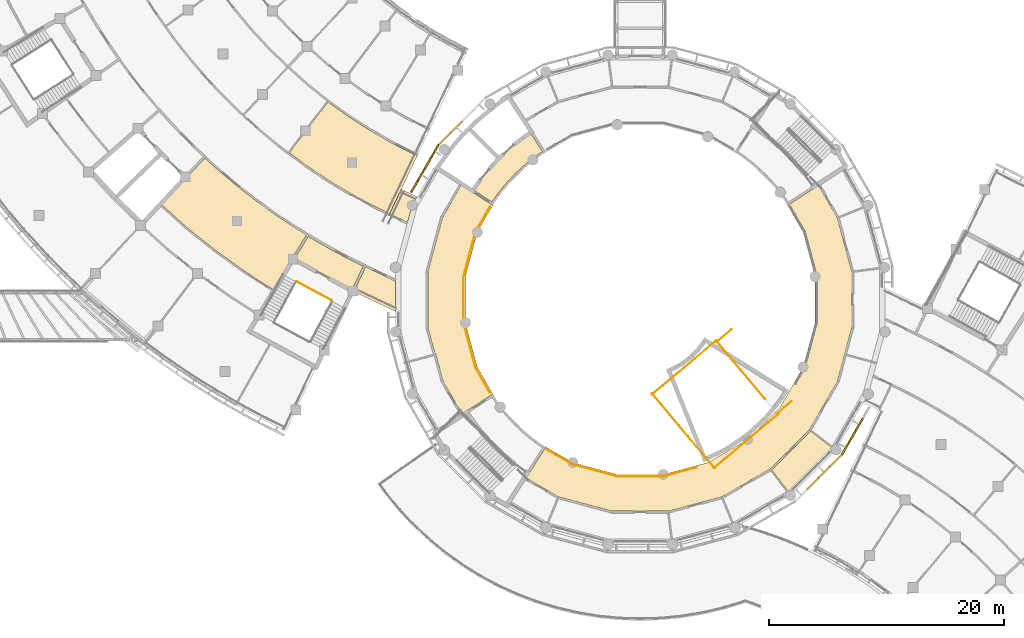
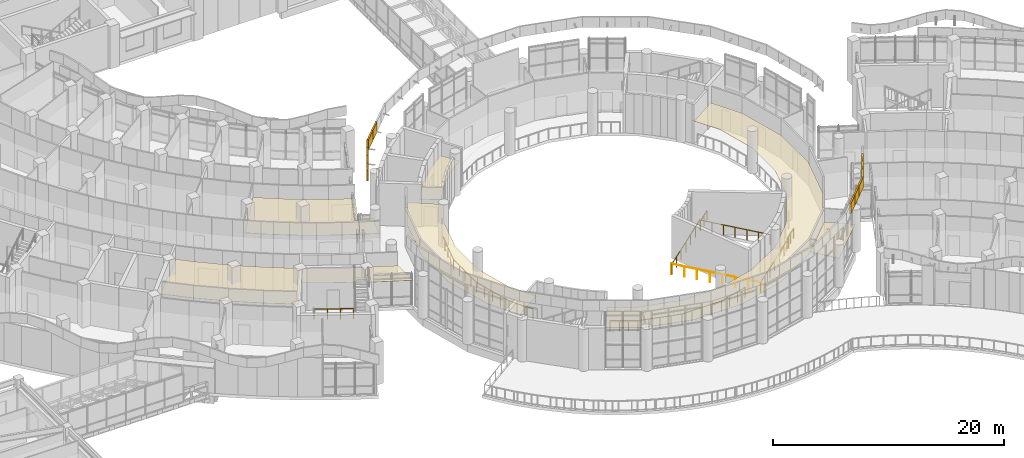
# One storey, part 117 of 136: 21 coverings, 9 railings.
"""IFC4 building model written with IfcOpenShell, lengths in metres."""

import ifcopenshell
import ifcopenshell.guid

model = None  # the IFC model being written
_history = None  # IfcOwnerHistory: only IFC2X3 demands one
_inside = {}  # id of a spatial element -> (the spatial element, [elements in it])
_under = {}  # id of a project, library or spatial element -> (it, [spatial elements below it])
_declared = {}  # id of a project -> (the project, [libraries it declares])
_typed = {}  # id of a type object -> (the type object, [elements of that type])
_made_of = {}  # id of a material, layer set ... -> (it, [elements and type objects made of it])


def new_model(schema):
    """Start an empty IFC model of exactly this schema.

    Asked for "IFC4X3", IfcOpenShell would pick the latest addendum, in which some entities
    have other attributes; the version numbers below select the first issue.
    IFC2X3 requires an IfcOwnerHistory on every rooted entity: one is made here for all.
    """
    global model, _history
    if schema == "IFC4X3":
        model = ifcopenshell.file(schema_version=(4, 3, 0, 0))
    else:
        model = ifcopenshell.file(schema=schema)
    _inside.clear()
    _under.clear()
    _declared.clear()
    _typed.clear()
    _made_of.clear()
    _history = None
    if model.schema == "IFC2X3":
        org = make("IfcOrganization", Name="unknown")
        user = make(
            "IfcPersonAndOrganization",
            ThePerson=make("IfcPerson", FamilyName="unknown"),
            TheOrganization=org,
        )
        app = make(
            "IfcApplication",
            ApplicationDeveloper=org,
            Version="unknown",
            ApplicationFullName="unknown",
            ApplicationIdentifier="unknown",
        )
        _history = make(
            "IfcOwnerHistory",
            OwningUser=user,
            OwningApplication=app,
            ChangeAction="ADDED",
            CreationDate=0,
        )
    return model


def make(cls, **values):
    """One entity of the class cls with the attributes given. An attribute that is None is left unset."""
    return model.create_entity(
        cls, **{name: value for name, value in values.items() if value is not None}
    )


def rooted(cls, **values):
    """An entity with a GlobalId (a new one), such as an element, a storey or a relation."""
    return make(cls, GlobalId=ifcopenshell.guid.new(), OwnerHistory=_history, **values)


def si_unit(unit_type, name, prefix=None):
    """IfcSIUnit, for example si_unit("LENGTHUNIT", "METRE", prefix="MILLI")."""
    return make("IfcSIUnit", UnitType=unit_type, Prefix=prefix, Name=name)


def assignment(units):
    """IfcUnitAssignment: the units of a project."""
    return None if units is None else make("IfcUnitAssignment", Units=units)


def point(xyz):
    """IfcCartesianPoint."""
    return None if xyz is None else make("IfcCartesianPoint", Coordinates=xyz)


def direction(xyz):
    """IfcDirection."""
    return None if xyz is None else make("IfcDirection", DirectionRatios=xyz)


def frame(location, z_axis=None, x_axis=None):
    """IfcAxis2Placement3D, a coordinate frame: its origin and axes. An axis left out is left unset."""
    return make(
        "IfcAxis2Placement3D",
        Location=point(location),
        Axis=direction(z_axis),
        RefDirection=direction(x_axis),
    )


def frame_2d(location, x_axis=None):
    """IfcAxis2Placement2D, a coordinate frame in the plane: its origin and x axis."""
    return make(
        "IfcAxis2Placement2D", Location=point(location), RefDirection=direction(x_axis)
    )


def origin():
    """The frame at (0, 0, 0) with its axes left unset."""
    return frame((0.0, 0.0, 0.0))


def origin_2d():
    """The frame at (0, 0) in the plane with its x axis left unset."""
    return frame_2d((0.0, 0.0))


def place(relative_to, where):
    """IfcLocalPlacement: puts the frame where relative to a parent placement (None: the world)."""
    return make(
        "IfcLocalPlacement", PlacementRelTo=relative_to, RelativePlacement=where
    )


def context(
    kind, dimensions, precision=None, world=None, true_north=None, identifier=None
):
    """IfcGeometricRepresentationContext, for example the 3D "Model" context."""
    return make(
        "IfcGeometricRepresentationContext",
        ContextIdentifier=identifier,
        ContextType=kind,
        CoordinateSpaceDimension=dimensions,
        Precision=precision,
        WorldCoordinateSystem=world,
        TrueNorth=true_north,
    )


def subcontext(parent, identifier, kind, view, scale=None):
    """IfcGeometricRepresentationSubContext, for example "Body" below "Model"."""
    return make(
        "IfcGeometricRepresentationSubContext",
        ContextIdentifier=identifier,
        ContextType=kind,
        ParentContext=parent,
        TargetScale=scale,
        TargetView=view,
    )


def project(units=None, contexts=None):
    """IfcProject with its units and contexts."""
    return rooted(
        "IfcProject",
        Name="project",
        RepresentationContexts=contexts,
        UnitsInContext=assignment(units),
    )


def spatial(cls, under=None, at=None, **own):
    """A site, building, storey or space (cls), placed at a placement, below another one or the project."""
    s = rooted(cls, ObjectPlacement=at, **own)
    if under is not None:
        _under.setdefault(under.id(), (under, []))[1].append(s)
    return s


def polyline(points):
    """IfcPolyline through the points."""
    return make("IfcPolyline", Points=[point(p) for p in points])


def profile(cls, at=None, kind="AREA", **sizes):
    """A parametric profile (cls). Its sizes go by their IFC names, for example OverallWidth=200.0."""
    return make(cls, ProfileType=kind, Position=at, **sizes)


def circle(**sizes):
    """IfcCircleProfileDef."""
    return profile("IfcCircleProfileDef", **sizes)


def outline(outer, holes=None, kind="AREA"):
    """IfcArbitraryClosedProfileDef: a profile drawn as a closed curve; with holes, ...WithVoids."""
    if holes is None:
        return make("IfcArbitraryClosedProfileDef", ProfileType=kind, OuterCurve=outer)
    return make(
        "IfcArbitraryProfileDefWithVoids",
        ProfileType=kind,
        OuterCurve=outer,
        InnerCurves=holes,
    )


def extrude(swept, where, along, depth):
    """IfcExtrudedAreaSolid: the profile swept, set in the frame where, extruded along a direction by depth."""
    return make(
        "IfcExtrudedAreaSolid",
        SweptArea=swept,
        Position=where,
        ExtrudedDirection=direction(along),
        Depth=depth,
    )


def shape(context_of_items, identifier, shape_type, items):
    """IfcShapeRepresentation: the items that make up one representation, for example the "Body"."""
    return make(
        "IfcShapeRepresentation",
        ContextOfItems=context_of_items,
        RepresentationIdentifier=identifier,
        RepresentationType=shape_type,
        Items=items,
    )


def material(Name=None, Category=None):
    """IfcMaterial."""
    return make("IfcMaterial", Name=Name, Category=Category)


def layer(
    of_material, thickness, ventilated=None, Name=None, Category=None, Priority=None
):
    """IfcMaterialLayer: one layer of a wall or slab, of a material (None: an air gap)."""
    return make(
        "IfcMaterialLayer",
        Material=of_material,
        LayerThickness=thickness,
        IsVentilated=ventilated,
        Name=Name,
        Category=Category,
        Priority=Priority,
    )


def layer_set(layers, Name=None):
    """IfcMaterialLayerSet."""
    return make("IfcMaterialLayerSet", MaterialLayers=layers, LayerSetName=Name)


def made_of(thing, what):
    """Note that an element or type object is made of a material, layer set ...; save() writes the relation."""
    if what is not None:
        _made_of.setdefault(what.id(), (what, []))[1].append(thing)
    return thing


def type_object(cls, material=None, **own):
    """A type object (cls), such as IfcWallType, which elements share."""
    return made_of(rooted(cls, **own), material)


def element(
    cls,
    number,
    at=None,
    inside=None,
    cuts=None,
    type_object=None,
    material=None,
    context=None,
    identifier="Body",
    shape_type=None,
    held_by="IfcProductDefinitionShape",
    body=None,
    shapes=None,
    **own,
):
    """One element of the class cls, such as IfcWall. Its Tag is "e" and its number.

    at: its placement. inside: the storey or other place that contains it. cuts: it is an
    opening in that element (IfcRelVoidsElement). A single representation is given by context,
    identifier, shape_type and body (its items); several are given by shapes. held_by: the class
    of the entity that holds the representations. save() writes the other relations.
    """
    e = rooted(cls, Tag="e%d" % number, ObjectPlacement=at, **own)
    if body is not None:
        shapes = [shape(context, identifier, shape_type, body)]
    if shapes is not None:
        e.Representation = make(held_by, Representations=shapes)
    if inside is not None:
        _inside.setdefault(inside.id(), (inside, []))[1].append(e)
    if cuts is not None:
        rooted(
            "IfcRelVoidsElement", RelatingBuildingElement=cuts, RelatedOpeningElement=e
        )
    if type_object is not None:
        _typed.setdefault(type_object.id(), (type_object, []))[1].append(e)
    return made_of(e, material)


def aggregate(whole, parts):
    """IfcRelAggregates: a whole, such as a stair, and the parts it consists of."""
    return rooted("IfcRelAggregates", RelatingObject=whole, RelatedObjects=parts)


def save(model, path):
    """Write the relations noted so far, then the file.

    IfcRelAggregates (storeys below a building ...), IfcRelContainedInSpatialStructure (elements
    in a storey), IfcRelDefinesByType, IfcRelAssociatesMaterial and IfcRelDeclares: one each for
    every whole, place, type object, material and project.
    """
    for whole, parts in _under.values():
        aggregate(whole, parts)
    for where, things in _inside.values():
        rooted(
            "IfcRelContainedInSpatialStructure",
            RelatedElements=things,
            RelatingStructure=where,
        )
    for kind, things in _typed.values():
        rooted("IfcRelDefinesByType", RelatedObjects=things, RelatingType=kind)
    for what, things in _made_of.values():
        rooted("IfcRelAssociatesMaterial", RelatedObjects=things, RelatingMaterial=what)
    for by, libraries in _declared.values():
        rooted("IfcRelDeclares", RelatingContext=by, RelatedDefinitions=libraries)
    model.write(path)


model = new_model("IFC4")

# Units and contexts
model_context = context("Model", 3, precision=1e-05, world=origin(), true_north=direction((0.0, 1.0)))
body_context = subcontext(model_context, "Body", "Model", "MODEL_VIEW")
ifc_project = project(units=[si_unit("LENGTHUNIT", "METRE"), si_unit("AREAUNIT", "SQUARE_METRE"), si_unit("VOLUMEUNIT", "CUBIC_METRE"), si_unit("PLANEANGLEUNIT", "RADIAN"), si_unit("MASSUNIT", "GRAM", prefix="KILO")], contexts=[model_context])

# Site, building, storey
site_placement = place(None, origin())
site = spatial("IfcSite", under=ifc_project, at=site_placement, CompositionType="ELEMENT")
building_placement = place(site_placement, origin())
building = spatial("IfcBuilding", under=site, at=building_placement, Name="Bougainvillea Quay General Hospital", CompositionType="ELEMENT")
storey_placement = place(building_placement, frame((0.0, 0.0, 5.39990234375)))
storey = spatial("IfcBuildingStorey", under=building, at=storey_placement, Name="L01", CompositionType="ELEMENT", Elevation=5.39990234375)

# Coverings
ifc_material_1 = material(Name="Powder-coated aluminium fascia, white", Category="aluminium")
ifc_layer_1 = layer(ifc_material_1, 0.14990234375)
ifc_layer_set_1 = layer_set([ifc_layer_1], Name="Powder-coated aluminium fascia, white")
covering_type_1 = type_object("IfcCoveringType", Name="Aluminium fascia band white 150x1100", PredefinedType="CLADDING", material=ifc_layer_set_1)
covering_1_placement = place(storey_placement, frame((123.341796875, 57.920166015625, 6.650146484375), z_axis=(0.0, 0.0, 1.0), x_axis=(0.707106781187, 0.707106781187, 0.0)))
element("IfcCovering", 1, at=covering_1_placement, inside=storey, type_object=covering_type_1, Name="Fascia band white e0 36", PredefinedType="CLADDING", context=body_context, shape_type="SweptSolid", body=[
    extrude(outline(polyline([(0.0, 0.0), (1.370364655531937, 0.0), (1.370364655531937, -0.15019113760554115), (0.0, -0.15019113760554112), (0.0, 0.0)])), origin(), (0.0, 0.0, 1.0), 1.10009765625),
])
covering_2_placement = place(storey_placement, frame((124.310791015625, 58.88916015625, 6.650146484375), z_axis=(0.0, 0.0, 1.0), x_axis=(0.707195843064, 0.707017708091, 0.0)))
element("IfcCovering", 2, at=covering_2_placement, inside=storey, type_object=covering_type_1, Name="Fascia band white e0 37", PredefinedType="CLADDING", context=body_context, shape_type="SweptSolid", body=[
    extrude(outline(polyline([(0.0, 0.0), (1.3705372998959335, 0.0), (1.370383562803702, -0.15001852466893295), (1.891814289130267e-05, -0.15019113641407222), (0.0, 0.0)])), origin(), (0.0, 0.0, 1.0), 1.10009765625),
])
covering_3_placement = place(storey_placement, frame((125.280029296875, 59.858154296875, 6.650146484375), z_axis=(0.0, 0.0, 1.0), x_axis=(0.707022163611, 0.707191388638, 0.0)))
element("IfcCovering", 3, at=covering_3_placement, inside=storey, type_object=covering_type_1, Name="Fascia band white e0 38", PredefinedType="CLADDING", context=body_context, shape_type="SweptSolid", body=[
    extrude(outline(polyline([(0.0, 0.0), (1.4426980987993736, -1.1102230246251565e-16), (1.4623603447933502, -0.15019349146840377), (-0.00019058472911116786, -0.15001848238266444), (0.0, 0.0)])), origin(), (0.0, 0.0, 1.0), 1.10009765625),
])
covering_4_placement = place(storey_placement, frame((126.300048828125, 60.87841796875, 6.650146484375), z_axis=(0.0, 0.0, 1.0), x_axis=(0.500080723117, 0.865978793255, 0.0)))
element("IfcCovering", 4, at=covering_4_placement, inside=storey, type_object=covering_type_1, Name="Fascia band white e0 39", PredefinedType="CLADDING", context=body_context, shape_type="SweptSolid", body=[
    extrude(outline(polyline([(0.0, 0.0), (1.2190414715957647, 1.1102230246251565e-16), (1.2190872370178687, -0.14995739746298636), (-0.019848698260943015, -0.15016896475085362), (0.0, 0.0)])), origin(), (0.0, 0.0, 1.0), 1.10009765625),
])
for number, where, z_axis, x_axis, name in (
    (5, (126.90966796875, 61.93408203125, 6.650146484375), (0.0, 0.0, 1.0), (0.499986657325, 0.866033107044, 0.0), "Fascia band white e0 40"),
    (6, (127.48291015625, 62.927001953125, 6.650146484375), (0.0, 0.0, 1.0), (0.499986657325, 0.866033107044, 0.0), "Fascia band white e0 41"),
):
    element("IfcCovering", number, at=place(storey_placement, frame(where, z_axis=z_axis, x_axis=x_axis)), inside=storey, type_object=covering_type_1, Name=name, PredefinedType="CLADDING", context=body_context, shape_type="SweptSolid", body=[
        extrude(outline(polyline([(0.0, 0.0), (1.1465149701534827, 0.0), (1.1465444471637856, -0.14995740154941278), (2.9477010302911277e-05, -0.14995740154941273), (0.0, 0.0)])), origin(), (0.0, 0.0, 1.0), 1.10009765625),
    ])
covering_5_placement = place(storey_placement, frame((94.089111328125, 89.11083984375, 6.650146484375), z_axis=(0.0, 0.0, 1.0), x_axis=(-0.707106781187, -0.707106781187, 0.0)))
element("IfcCovering", 7, at=covering_5_placement, inside=storey, type_object=covering_type_1, Name="Fascia band white e1 37", PredefinedType="CLADDING", context=body_context, shape_type="SweptSolid", body=[
    extrude(outline(polyline([(0.0, 0.0), (1.370364655531937, 0.0), (1.370364655531937, -0.15019113760554115), (0.0, -0.15019113760554112), (0.0, 0.0)])), origin(), (0.0, 0.0, 1.0), 1.10009765625),
])
covering_6_placement = place(storey_placement, frame((93.1201171875, 88.141845703125, 6.650146484375), z_axis=(0.0, 0.0, 1.0), x_axis=(-0.707106781187, -0.707106781187, 0.0)))
element("IfcCovering", 8, at=covering_6_placement, inside=storey, type_object=covering_type_1, Name="Fascia band white e1 38", PredefinedType="CLADDING", context=body_context, shape_type="SweptSolid", body=[
    extrude(outline(polyline([(0.0, 0.0), (1.4428707219621983, 0.0), (1.4625509399932692, -0.15019113760554115), (0.0, -0.15019113760554112), (0.0, 0.0)])), origin(), (0.0, 0.0, 1.0), 1.10009765625),
])
covering_7_placement = place(storey_placement, frame((92.099853515625, 87.12158203125, 6.650146484375), z_axis=(0.0, 0.0, 1.0), x_axis=(-0.499930512259, -0.866065518833, 0.0)))
element("IfcCovering", 9, at=covering_7_placement, inside=storey, type_object=covering_type_1, Name="Fascia band white e1 39", PredefinedType="CLADDING", context=body_context, shape_type="SweptSolid", body=[
    extrude(outline(polyline([(0.0, 0.0), (1.2189193999108408, 0.0), (1.2189391553405198, -0.14995740314525635), (-0.019874744650287615, -0.15016551975098325), (0.0, 0.0)])), origin(), (0.0, 0.0, 1.0), 1.10009765625),
])
for number, where, z_axis, x_axis, name in (
    (10, (91.490478515625, 86.06591796875, 6.650146484375), (0.0, 0.0, 1.0), (-0.499986657325, -0.866033107044, 0.0), "Fascia band white e1 40"),
    (11, (90.917236328125, 85.072998046875, 6.650146484375), (0.0, 0.0, 1.0), (-0.499986657325, -0.866033107044, 0.0), "Fascia band white e1 41"),
):
    element("IfcCovering", number, at=place(storey_placement, frame(where, z_axis=z_axis, x_axis=x_axis)), inside=storey, type_object=covering_type_1, Name=name, PredefinedType="CLADDING", context=body_context, shape_type="SweptSolid", body=[
        extrude(outline(polyline([(0.0, 0.0), (1.1465149701534827, 0.0), (1.1465444471637856, -0.14995740154941278), (2.9477010302911277e-05, -0.14995740154941273), (0.0, 0.0)])), origin(), (0.0, 0.0, 1.0), 1.10009765625),
    ])
covering_8_placement = place(storey_placement, frame((90.343994140625, 84.080078125, 6.650146484375), z_axis=(0.0, 0.0, 1.0), x_axis=(-0.499894466757, -0.866086324858, 0.0)))
element("IfcCovering", 12, at=covering_8_placement, inside=storey, type_object=covering_type_1, Name="Fascia band white e1 42", PredefinedType="CLADDING", context=body_context, shape_type="SweptSolid", body=[
    extrude(outline(polyline([(0.0, 0.0), (1.1467264105144213, 0.0), (1.1467399248169607, -0.14995740383758843), (1.351430253937469e-05, -0.1499574038375884), (0.0, 0.0)])), origin(), (0.0, 0.0, 1.0), 1.10009765625),
])

# Railings
ifc_material_2 = material(Name="Stainless steel guard, brushed grade 316", Category="steel")
railing_type_1 = type_object("IfcRailingType", Name="Stainless steel guard 1100", PredefinedType="GUARDRAIL", material=ifc_material_2)
railing_1_placement = place(storey_placement, frame((113.967041015625, 59.72607421875, 0.0)))
element("IfcRailing", 13, at=railing_1_placement, inside=storey, type_object=railing_type_1, Name="Guard 0-05", PredefinedType="GUARDRAIL", context=body_context, shape_type="SweptSolid", body=[
    extrude(circle(Radius=0.02392578125, at=origin_2d()), frame((0.0, 0.0, 1.076171875), z_axis=(-0.965863478245, -0.259051619165, 0.0), x_axis=(0.259051619165, -0.965863478245, 0.0)), (0.0, 0.0, 1.0), 2.8876953125),
    extrude(circle(Radius=0.02392578125, at=origin_2d()), frame((-2.7890625, -0.748046875, 1.076171875), z_axis=(-1.0, 0.0, 0.0), x_axis=(0.0, -1.0, 0.0)), (0.0, 0.0, 1.0), 3.9560546875),
    extrude(circle(Radius=0.02392578125, at=origin_2d()), frame((-6.7451171875, -0.748046875, 1.076171875), z_axis=(-0.965900094608, 0.258915057956, 0.0), x_axis=(-0.258915057956, -0.965900094608, 0.0)), (0.0, 0.0, 1.0), 3.95458984375),
    extrude(circle(Radius=0.02392578125, at=origin_2d()), frame((-10.56494140625, 0.27587890625, 1.076171875), z_axis=(-0.865894266705, 0.500227067327, 0.0), x_axis=(-0.500227067327, -0.865894266705, 0.0)), (0.0, 0.0, 1.0), 2.4150390625),
    extrude(circle(Radius=0.02099609375, at=origin_2d()), origin(), (0.0, 0.0, 1.0), 1.052001953125),
    extrude(circle(Radius=0.02099609375, at=origin_2d()), frame((-0.9296875, -0.249267578125, 0.0)), (0.0, 0.0, 1.0), 1.052001953125),
    extrude(circle(Radius=0.02099609375, at=origin_2d()), frame((-1.859375, -0.498779296875, 0.0)), (0.0, 0.0, 1.0), 1.052001953125),
    extrude(circle(Radius=0.02099609375, at=origin_2d()), frame((-2.7890625, -0.748046875, 0.0)), (0.0, 0.0, 1.0), 1.052001953125),
    extrude(circle(Radius=0.02099609375, at=origin_2d()), frame((-3.778076171875, -0.748046875, 0.0)), (0.0, 0.0, 1.0), 1.052001953125),
    extrude(circle(Radius=0.02099609375, at=origin_2d()), frame((-4.76708984375, -0.748046875, 0.0)), (0.0, 0.0, 1.0), 1.052001953125),
    extrude(circle(Radius=0.02099609375, at=origin_2d()), frame((-5.756103515625, -0.748046875, 0.0)), (0.0, 0.0, 1.0), 1.052001953125),
    extrude(circle(Radius=0.02099609375, at=origin_2d()), frame((-6.7451171875, -0.748046875, 0.0)), (0.0, 0.0, 1.0), 1.052001953125),
    extrude(circle(Radius=0.02099609375, at=origin_2d()), frame((-7.7001953125, -0.4921875, 0.0)), (0.0, 0.0, 1.0), 1.052001953125),
    extrude(circle(Radius=0.02099609375, at=origin_2d()), frame((-8.655029296875, -0.236083984375, 0.0)), (0.0, 0.0, 1.0), 1.052001953125),
    extrude(circle(Radius=0.02099609375, at=origin_2d()), frame((-9.60986328125, 0.02001953125, 0.0)), (0.0, 0.0, 1.0), 1.052001953125),
    extrude(circle(Radius=0.02099609375, at=origin_2d()), frame((-10.56494140625, 0.27587890625, 0.0)), (0.0, 0.0, 1.0), 1.052001953125),
    extrude(circle(Radius=0.02099609375, at=origin_2d()), frame((-11.261962890625, 0.678466796875, 0.0)), (0.0, 0.0, 1.0), 1.052001953125),
    extrude(circle(Radius=0.02099609375, at=origin_2d()), frame((-11.958984375, 1.081298828125, 0.0)), (0.0, 0.0, 1.0), 1.052001953125),
    extrude(circle(Radius=0.02099609375, at=origin_2d()), frame((-12.656005859375, 1.48388671875, 0.0)), (0.0, 0.0, 1.0), 1.052001953125),
])
railing_2_placement = place(storey_placement, frame((96.409912109375, 66.111083984375, 0.0)))
element("IfcRailing", 14, at=railing_2_placement, inside=storey, type_object=railing_type_1, Name="Guard 0-07", PredefinedType="GUARDRAIL", context=body_context, shape_type="SweptSolid", body=[
    extrude(circle(Radius=0.02392578125, at=origin_2d()), frame((0.0, 0.0, 1.076171875), z_axis=(-0.500270859977, 0.865868966217, 0.0), x_axis=(-0.865868966217, -0.500270859977, 0.0)), (0.0, 0.0, 1.0), 2.414794921875),
    extrude(circle(Radius=0.02392578125, at=origin_2d()), frame((-1.2080078125, 2.0908203125, 1.076171875), z_axis=(-0.258899619871, 0.965904232743, 0.0), x_axis=(-0.965904232743, -0.258899619871, 0.0)), (0.0, 0.0, 1.0), 3.954833984375),
    extrude(circle(Radius=0.02392578125, at=origin_2d()), frame((-2.23193359375, 5.910888671875, 1.076171875), z_axis=(0.0, 1.0, 0.0), x_axis=(-1.0, 0.0, 0.0)), (0.0, 0.0, 1.0), 3.9560546875),
    extrude(circle(Radius=0.02392578125, at=origin_2d()), frame((-2.23193359375, 9.866943359375, 1.076171875), z_axis=(0.258899619871, 0.965904232743, 0.0), x_axis=(-0.965904232743, 0.258899619871, 0.0)), (0.0, 0.0, 1.0), 3.954833984375),
    extrude(circle(Radius=0.02392578125, at=origin_2d()), frame((-1.2080078125, 13.68701171875, 1.076171875), z_axis=(0.500270859977, 0.865868966217, 0.0), x_axis=(-0.865868966217, 0.500270859977, 0.0)), (0.0, 0.0, 1.0), 2.414794921875),
    extrude(circle(Radius=0.02099609375, at=origin_2d()), origin(), (0.0, 0.0, 1.0), 1.052001953125),
    extrude(circle(Radius=0.02099609375, at=origin_2d()), frame((-0.402587890625, 0.697021484375, 0.0)), (0.0, 0.0, 1.0), 1.052001953125),
    extrude(circle(Radius=0.02099609375, at=origin_2d()), frame((-0.805419921875, 1.393798828125, 0.0)), (0.0, 0.0, 1.0), 1.052001953125),
    extrude(circle(Radius=0.02099609375, at=origin_2d()), frame((-1.2080078125, 2.0908203125, 0.0)), (0.0, 0.0, 1.0), 1.052001953125),
    extrude(circle(Radius=0.02099609375, at=origin_2d()), frame((-1.4638671875, 3.0458984375, 0.0)), (0.0, 0.0, 1.0), 1.052001953125),
    extrude(circle(Radius=0.02099609375, at=origin_2d()), frame((-1.719970703125, 4.0009765625, 0.0)), (0.0, 0.0, 1.0), 1.052001953125),
    extrude(circle(Radius=0.02099609375, at=origin_2d()), frame((-1.97607421875, 4.955810546875, 0.0)), (0.0, 0.0, 1.0), 1.052001953125),
    extrude(circle(Radius=0.02099609375, at=origin_2d()), frame((-2.23193359375, 5.910888671875, 0.0)), (0.0, 0.0, 1.0), 1.052001953125),
    extrude(circle(Radius=0.02099609375, at=origin_2d()), frame((-2.23193359375, 6.89990234375, 0.0)), (0.0, 0.0, 1.0), 1.052001953125),
    extrude(circle(Radius=0.02099609375, at=origin_2d()), frame((-2.23193359375, 7.888916015625, 0.0)), (0.0, 0.0, 1.0), 1.052001953125),
    extrude(circle(Radius=0.02099609375, at=origin_2d()), frame((-2.23193359375, 8.8779296875, 0.0)), (0.0, 0.0, 1.0), 1.052001953125),
    extrude(circle(Radius=0.02099609375, at=origin_2d()), frame((-2.23193359375, 9.866943359375, 0.0)), (0.0, 0.0, 1.0), 1.052001953125),
    extrude(circle(Radius=0.02099609375, at=origin_2d()), frame((-1.97607421875, 10.822021484375, 0.0)), (0.0, 0.0, 1.0), 1.052001953125),
    extrude(circle(Radius=0.02099609375, at=origin_2d()), frame((-1.719970703125, 11.77685546875, 0.0)), (0.0, 0.0, 1.0), 1.052001953125),
    extrude(circle(Radius=0.02099609375, at=origin_2d()), frame((-1.4638671875, 12.73193359375, 0.0)), (0.0, 0.0, 1.0), 1.052001953125),
    extrude(circle(Radius=0.02099609375, at=origin_2d()), frame((-1.2080078125, 13.68701171875, 0.0)), (0.0, 0.0, 1.0), 1.052001953125),
    extrude(circle(Radius=0.02099609375, at=origin_2d()), frame((-0.805419921875, 14.384033203125, 0.0)), (0.0, 0.0, 1.0), 1.052001953125),
    extrude(circle(Radius=0.02099609375, at=origin_2d()), frame((-0.402587890625, 15.080810546875, 0.0)), (0.0, 0.0, 1.0), 1.052001953125),
    extrude(circle(Radius=0.02099609375, at=origin_2d()), frame((0.0, 15.77783203125, 0.0)), (0.0, 0.0, 1.0), 1.052001953125),
])
ifc_material_3 = material(Name="Stainless steel 304 balustrade", Category="steel")
railing_type_2 = type_object("IfcRailingType", Name="Stair guard 1100", PredefinedType="GUARDRAIL", material=ifc_material_3)
railing_3_placement = place(storey_placement, frame((79.96826171875, 75.547607421875, 0.0)))
element("IfcRailing", 15, at=railing_3_placement, inside=storey, type_object=railing_type_2, Name="L01 ST-W1 stair guard 4", PredefinedType="GUARDRAIL", context=body_context, shape_type="SweptSolid", body=[
    extrude(circle(Radius=0.02392578125, at=origin_2d()), frame((0.0, 0.0, 1.076171875), z_axis=(0.879580645355, -0.475749816939, 0.0), x_axis=(0.475749816939, 0.879580645355, 0.0)), (0.0, 0.0, 1.0), 3.421875),
    extrude(circle(Radius=0.02099609375, at=origin_2d()), origin(), (0.0, 0.0, 1.0), 1.052001953125),
    extrude(circle(Radius=0.02099609375, at=origin_2d()), frame((1.003173828125, -0.542724609375, 0.0)), (0.0, 0.0, 1.0), 1.052001953125),
    extrude(circle(Radius=0.02099609375, at=origin_2d()), frame((2.006591796875, -1.085205078125, 0.0)), (0.0, 0.0, 1.0), 1.052001953125),
    extrude(circle(Radius=0.02099609375, at=origin_2d()), frame((3.009765625, -1.6279296875, 0.0)), (0.0, 0.0, 1.0), 1.052001953125),
])
railing_4_placement = place(storey_placement, frame((115.69140625, 70.4716796875, 0.0)))
element("IfcRailing", 16, at=railing_4_placement, inside=storey, type_object=railing_type_2, Name="L01 ST-H3 top well guard 1", PredefinedType="GUARDRAIL", context=body_context, shape_type="SweptSolid", body=[
    extrude(circle(Radius=0.02392578125, at=origin_2d()), frame((0.0, 0.0, 1.076171875), z_axis=(0.642911441613, -0.765940518737, 0.0), x_axis=(0.765940518737, 0.642911441613, 0.0)), (0.0, 0.0, 1.0), 6.427490234375),
    extrude(circle(Radius=0.02099609375, at=origin_2d()), origin(), (0.0, 0.0, 1.0), 1.052001953125),
    extrude(circle(Radius=0.02099609375, at=origin_2d()), frame((0.688720703125, -0.820556640625, 0.0)), (0.0, 0.0, 1.0), 1.052001953125),
    extrude(circle(Radius=0.02099609375, at=origin_2d()), frame((1.37744140625, -1.64111328125, 0.0)), (0.0, 0.0, 1.0), 1.052001953125),
    extrude(circle(Radius=0.02099609375, at=origin_2d()), frame((2.066162109375, -2.46142578125, 0.0)), (0.0, 0.0, 1.0), 1.052001953125),
    extrude(circle(Radius=0.02099609375, at=origin_2d()), frame((2.7548828125, -3.281982421875, 0.0)), (0.0, 0.0, 1.0), 1.052001953125),
    extrude(circle(Radius=0.02099609375, at=origin_2d()), frame((3.443603515625, -4.1025390625, 0.0)), (0.0, 0.0, 1.0), 1.052001953125),
    extrude(circle(Radius=0.02099609375, at=origin_2d()), frame((4.13232421875, -4.923095703125, 0.0)), (0.0, 0.0, 1.0), 1.052001953125),
])
for number, where, name in (
    (17, (115.697509765625, 70.5419921875, 0.0), "L01 ST-H3 top well guard 2"),
    (18, (120.955078125, 64.278564453125, 0.0), "L01 ST-H3 top well guard 3"),
):
    element("IfcRailing", number, at=place(storey_placement, frame(where)), inside=storey, type_object=railing_type_2, Name=name, PredefinedType="GUARDRAIL", context=body_context, shape_type="SweptSolid", body=[
        extrude(circle(Radius=0.02392578125, at=origin_2d()), frame((0.0, 0.0, 1.076171875), z_axis=(-0.765938572778, -0.642913759949, 0.0), x_axis=(0.642913759949, -0.765938572778, 0.0)), (0.0, 0.0, 1.0), 7.159912109375),
        extrude(circle(Radius=0.02099609375, at=origin_2d()), origin(), (0.0, 0.0, 1.0), 1.052001953125),
        extrude(circle(Radius=0.02099609375, at=origin_2d()), frame((-0.9140625, -0.76708984375, 0.0)), (0.0, 0.0, 1.0), 1.052001953125),
        extrude(circle(Radius=0.02099609375, at=origin_2d()), frame((-1.828125, -1.534423828125, 0.0)), (0.0, 0.0, 1.0), 1.052001953125),
        extrude(circle(Radius=0.02099609375, at=origin_2d()), frame((-2.7421875, -2.3017578125, 0.0)), (0.0, 0.0, 1.0), 1.052001953125),
        extrude(circle(Radius=0.02099609375, at=origin_2d()), frame((-3.656005859375, -3.06884765625, 0.0)), (0.0, 0.0, 1.0), 1.052001953125),
        extrude(circle(Radius=0.02099609375, at=origin_2d()), frame((-4.570068359375, -3.8359375, 0.0)), (0.0, 0.0, 1.0), 1.052001953125),
        extrude(circle(Radius=0.02099609375, at=origin_2d()), frame((-5.484130859375, -4.603271484375, 0.0)), (0.0, 0.0, 1.0), 1.052001953125),
    ])
railing_5_placement = place(storey_placement, frame((110.2197265625, 66.009033203125, 0.0)))
element("IfcRailing", 19, at=railing_5_placement, inside=storey, type_object=railing_type_2, Name="L01 ST-H3 top well guard 4", PredefinedType="GUARDRAIL", context=body_context, shape_type="SweptSolid", body=[
    extrude(circle(Radius=0.02392578125, at=origin_2d()), frame((0.0, 0.0, 1.076171875), z_axis=(0.64293057882, -0.765924455033, 0.0), x_axis=(0.765924455033, 0.64293057882, 0.0)), (0.0, 0.0, 1.0), 8.27734375),
    extrude(circle(Radius=0.02099609375, at=origin_2d()), origin(), (0.0, 0.0, 1.0), 1.052001953125),
    extrude(circle(Radius=0.02099609375, at=origin_2d()), frame((0.76025390625, -0.90576171875, 0.0)), (0.0, 0.0, 1.0), 1.052001953125),
    extrude(circle(Radius=0.02099609375, at=origin_2d()), frame((1.5205078125, -1.811279296875, 0.0)), (0.0, 0.0, 1.0), 1.052001953125),
    extrude(circle(Radius=0.02099609375, at=origin_2d()), frame((2.28076171875, -2.717041015625, 0.0)), (0.0, 0.0, 1.0), 1.052001953125),
    extrude(circle(Radius=0.02099609375, at=origin_2d()), frame((3.041015625, -3.622802734375, 0.0)), (0.0, 0.0, 1.0), 1.052001953125),
    extrude(circle(Radius=0.02099609375, at=origin_2d()), frame((3.80126953125, -4.528564453125, 0.0)), (0.0, 0.0, 1.0), 1.052001953125),
    extrude(circle(Radius=0.02099609375, at=origin_2d()), frame((4.5615234375, -5.43408203125, 0.0)), (0.0, 0.0, 1.0), 1.052001953125),
    extrude(circle(Radius=0.02099609375, at=origin_2d()), frame((5.32177734375, -6.33984375, 0.0)), (0.0, 0.0, 1.0), 1.052001953125),
])
for number, where, name in (
    (20, (116.948974609375, 71.4619140625, 0.0), "L01 ST-H3 top well guard 5"),
    (21, (122.077880859375, 65.351806640625, 0.0), "L01 ST-H3 top well guard 6"),
):
    element("IfcRailing", number, at=place(storey_placement, frame(where)), inside=storey, type_object=railing_type_2, Name=name, PredefinedType="GUARDRAIL", context=body_context, shape_type="SweptSolid", body=[
        extrude(circle(Radius=0.02392578125, at=origin_2d()), frame((0.0, 0.0, 1.076171875), z_axis=(-0.765911793969, -0.642945661669, 0.0), x_axis=(0.642945661669, -0.765911793969, 0.0)), (0.0, 0.0, 1.0), 1.64990234375),
        extrude(circle(Radius=0.02099609375, at=origin_2d()), origin(), (0.0, 0.0, 1.0), 1.052001953125),
        extrude(circle(Radius=0.02099609375, at=origin_2d()), frame((-0.6318359375, -0.5302734375, 0.0)), (0.0, 0.0, 1.0), 1.052001953125),
        extrude(circle(Radius=0.02099609375, at=origin_2d()), frame((-1.263671875, -1.060791015625, 0.0)), (0.0, 0.0, 1.0), 1.052001953125),
    ])

# Coverings
ifc_material_4 = material(Name="Mineral fibre ceiling tile")
ifc_layer_2 = layer(ifc_material_4, 0.030029296875)
ifc_layer_set_2 = layer_set([ifc_layer_2], Name="Mineral fibre ceiling tile")
covering_type_2 = type_object("IfcCoveringType", Name="Suspended ceiling mineral fibre tile", PredefinedType="CEILING", material=ifc_layer_set_2)
covering_9_placement = place(storey_placement, frame((0.0, 0.0, 2.400146484375)))
element("IfcCovering", 22, at=covering_9_placement, inside=storey, type_object=covering_type_2, Name="Ceiling Gallery Corridor", PredefinedType="CEILING", context=body_context, shape_type="SweptSolid", body=[
    extrude(outline(polyline([(94.035888671875, 83.84814453125), (92.373779296875, 80.967041015625), (91.14306640625, 76.375244140625), (91.14306640625, 71.624755859375), (91.739013671875, 69.3994140625), (91.797119140625, 69.414794921875), (92.429931640625, 67.053955078125), (94.04833984375, 64.25), (94.3125, 64.42138671875), (94.300048828125, 64.439697265625), (94.302001953125, 64.441162109375), (94.30078125, 64.443359375), (94.383544921875, 64.4970703125), (94.46484375, 64.552978515625), (94.46630859375, 64.55078125), (96.564453125, 65.9130859375), (96.645751953125, 65.968994140625), (96.647216796875, 65.966796875), (96.6494140625, 65.96826171875), (96.703125, 65.885498046875), (96.76416015625, 65.796875), (95.342041015625, 68.260009765625), (94.327880859375, 72.0419921875), (94.327880859375, 75.9580078125), (95.342041015625, 79.739990234375), (96.76416015625, 82.203125), (96.703125, 82.114501953125), (96.6494140625, 82.03173828125), (96.647216796875, 82.033203125), (96.645751953125, 82.031005859375), (96.564453125, 82.0869140625), (94.888427734375, 83.175048828125), (94.943115234375, 83.259033203125), (94.035888671875, 83.84814453125)])), origin(), (0.0, 0.0, 1.0), 0.030029296875),
])
covering_10_placement = place(storey_placement, frame((0.0, 0.0, 2.400146484375)))
element("IfcCovering", 23, at=covering_10_placement, inside=storey, type_object=covering_type_2, Name="Ceiling Gallery Corridor", PredefinedType="CEILING", context=body_context, shape_type="SweptSolid", body=[
    extrude(outline(polyline([(100.996826171875, 61.564208984375), (101.085693359375, 61.503173828125), (101.168212890625, 61.449462890625), (101.1669921875, 61.447265625), (101.1689453125, 61.44580078125), (101.113037109375, 61.364501953125), (99.7509765625, 59.26611328125), (99.753173828125, 59.2646484375), (99.697265625, 59.183349609375), (99.643310546875, 59.1005859375), (99.64111328125, 59.10205078125), (99.6396484375, 59.099853515625), (99.621337890625, 59.112548828125), (99.449951171875, 58.848388671875), (102.25390625, 57.22998046875), (106.829833984375, 56.0029296875), (111.569091796875, 56.0029296875), (116.14599609375, 57.22998046875), (120.25, 59.59912109375), (123.60107421875, 62.949951171875), (125.97021484375, 67.053955078125), (127.197021484375, 71.6298828125), (127.197021484375, 76.3701171875), (125.97021484375, 80.946044921875), (124.3515625, 83.75), (124.08740234375, 83.57861328125), (124.10009765625, 83.560302734375), (124.097900390625, 83.558837890625), (124.099365234375, 83.556640625), (124.0166015625, 83.5029296875), (123.935302734375, 83.447021484375), (123.933837890625, 83.44921875), (121.835693359375, 82.0869140625), (121.75439453125, 82.031005859375), (121.752685546875, 82.033203125), (121.75048828125, 82.03173828125), (121.69677734375, 82.114501953125), (121.6357421875, 82.203125), (123.05810546875, 79.739990234375), (124.072021484375, 75.9580078125), (124.072021484375, 72.0419921875), (123.05810546875, 68.260009765625), (121.10009765625, 64.868896484375), (118.3310546875, 62.10009765625), (114.93994140625, 60.14208984375), (111.157958984375, 59.1279296875), (107.241943359375, 59.1279296875), (103.4599609375, 60.14208984375), (100.996826171875, 61.564208984375)])), origin(), (0.0, 0.0, 1.0), 0.030029296875),
])
covering_11_placement = place(storey_placement, frame((0.0, 0.0, 2.7001953125)))
element("IfcCovering", 24, at=covering_11_placement, inside=storey, type_object=covering_type_2, Name="Ceiling Lift Lobby LB-H1", PredefinedType="CEILING", context=body_context, shape_type="SweptSolid", body=[
    extrude(outline(polyline([(94.999755859375, 83.34130859375), (96.5927734375, 82.306884765625), (96.9287109375, 82.79541015625), (96.9248046875, 82.798583984375), (96.984130859375, 82.875732421875), (97.039306640625, 82.9560546875), (97.04345703125, 82.953125), (97.406005859375, 83.425537109375), (97.402099609375, 83.428955078125), (97.46533203125, 83.5029296875), (97.5244140625, 83.580322265625), (97.528564453125, 83.5771484375), (97.915283203125, 84.02978515625), (97.91162109375, 84.033203125), (97.978515625, 84.10400390625), (98.0419921875, 84.177978515625), (98.045654296875, 84.1748046875), (98.455322265625, 84.60693359375), (98.45166015625, 84.61083984375), (98.522216796875, 84.677734375), (98.589111328125, 84.748291015625), (98.593017578125, 84.74462890625), (99.025390625, 85.154296875), (99.02197265625, 85.157958984375), (99.09619140625, 85.221435546875), (99.166748046875, 85.288330078125), (99.170166015625, 85.28466796875), (99.622802734375, 85.67138671875), (99.619873046875, 85.675537109375), (99.697021484375, 85.734619140625), (99.77099609375, 85.798095703125), (99.7744140625, 85.794189453125), (100.246826171875, 86.156494140625), (100.243896484375, 86.16064453125), (100.32421875, 86.2158203125), (100.4013671875, 86.275146484375), (100.404541015625, 86.271240234375), (100.89306640625, 86.607177734375), (99.858642578125, 88.200439453125), (99.2080078125, 87.7529296875), (98.501953125, 87.2109375), (97.824951171875, 86.633056640625), (97.178955078125, 86.02099609375), (96.56689453125, 85.375), (95.989013671875, 84.697998046875), (95.447021484375, 83.991943359375), (94.999755859375, 83.34130859375)])), origin(), (0.0, 0.0, 1.0), 0.02978515625),
])
covering_12_placement = place(storey_placement, frame((0.0, 0.0, 2.7001953125)))
element("IfcCovering", 25, at=covering_12_placement, inside=storey, type_object=covering_type_2, Name="Ceiling Smoke-proof Vestibule ST-W1", PredefinedType="CEILING", context=body_context, shape_type="SweptSolid", body=[
    extrude(outline(polyline([(85.647216796875, 76.85302734375), (84.586181640625, 77.376220703125), (84.585205078125, 77.3740234375), (84.49755859375, 77.419921875), (84.4091796875, 77.463623046875), (84.41015625, 77.4658203125), (83.36083984375, 78.01611328125), (83.359619140625, 78.013916015625), (83.2734375, 78.06201171875), (83.18603515625, 78.10791015625), (83.187255859375, 78.110107421875), (82.152587890625, 78.686279296875), (82.151123046875, 78.68408203125), (82.066162109375, 78.734375), (81.97998046875, 78.7822265625), (81.981201171875, 78.784423828125), (80.962158203125, 79.38671875), (79.819091796875, 77.507568359375), (80.970703125, 76.82666015625), (82.2265625, 76.126953125), (83.500244140625, 75.459228515625), (84.700439453125, 74.867431640625), (85.647216796875, 76.85302734375)])), origin(), (0.0, 0.0, 1.0), 0.02978515625),
])
covering_13_placement = place(storey_placement, frame((0.0, 0.0, 2.7001953125)))
element("IfcCovering", 26, at=covering_13_placement, inside=storey, type_object=covering_type_2, Name="Ceiling Gallery Lounge 01H0125", PredefinedType="CEILING", context=body_context, shape_type="SweptSolid", body=[
    extrude(outline(polyline([(125.82421875, 61.180419921875), (123.69580078125, 62.814208984375), (123.6884765625, 62.801513671875), (123.67333984375, 62.810302734375), (120.3896484375, 59.526611328125), (120.3984375, 59.511474609375), (120.3857421875, 59.504150390625), (122.019775390625, 57.375732421875), (125.82421875, 61.180419921875)])), origin(), (0.0, 0.0, 1.0), 0.02978515625),
])
covering_14_placement = place(storey_placement, frame((0.0, 0.0, 2.7001953125)))
element("IfcCovering", 27, at=covering_14_placement, inside=storey, type_object=covering_type_2, Name="Ceiling Gastroenterology Waiting Hall 01W101", PredefinedType="CEILING", context=body_context, shape_type="SweptSolid", body=[
    extrude(outline(polyline([(68.398193359375, 82.14697265625), (70.657470703125, 80.115234375), (73.0322265625, 78.2197265625), (75.501220703125, 76.447998046875), (78.014892578125, 74.830078125), (79.5859375, 77.4130859375), (79.5439453125, 77.437744140625), (79.543701171875, 77.439453125), (79.645751953125, 77.60986328125), (79.64697265625, 77.609375), (80.80419921875, 79.511962890625), (79.78125, 80.152587890625), (79.7802734375, 80.151123046875), (79.655517578125, 80.231201171875), (79.656494140625, 80.232666015625), (78.8359375, 80.77294921875), (78.8349609375, 80.771728515625), (78.712158203125, 80.8544921875), (78.713134765625, 80.85595703125), (77.732421875, 81.53369140625), (77.7314453125, 81.5322265625), (77.610595703125, 81.617919921875), (77.61181640625, 81.619384765625), (76.648681640625, 82.321533203125), (76.6474609375, 82.31982421875), (76.5888671875, 82.364990234375), (76.529296875, 82.40869140625), (76.530517578125, 82.41015625), (75.289306640625, 83.368408203125), (75.28759765625, 83.366455078125), (75.23095703125, 83.41357421875), (75.1728515625, 83.45849609375), (75.174560546875, 83.460693359375), (73.517578125, 84.840087890625), (73.515625, 84.838134765625), (73.4609375, 84.88720703125), (73.404296875, 84.934326171875), (73.40625, 84.9365234375), (72.167236328125, 86.05126953125), (70.582275390625, 84.347900390625), (70.509033203125, 84.415771484375), (68.398193359375, 82.14697265625)])), origin(), (0.0, 0.0, 1.0), 0.02978515625),
])
covering_15_placement = place(storey_placement, frame((0.0, 0.0, 2.7001953125)))
element("IfcCovering", 28, at=covering_15_placement, inside=storey, type_object=covering_type_2, Name="Ceiling Fracture Waiting Hall 01W101", PredefinedType="CEILING", context=body_context, shape_type="SweptSolid", body=[
    extrude(outline(polyline([(90.26611328125, 86.303955078125), (90.232666015625, 86.23681640625), (88.2978515625, 87.199462890625), (88.295654296875, 87.195556640625), (88.232666015625, 87.23193359375), (88.16748046875, 87.26416015625), (88.16943359375, 87.26806640625), (86.357421875, 88.308349609375), (86.35546875, 88.305419921875), (86.2939453125, 88.344970703125), (86.230712890625, 88.38134765625), (86.232421875, 88.384521484375), (84.476318359375, 89.514404296875), (84.47412109375, 89.51123046875), (84.414794921875, 89.553955078125), (84.353271484375, 89.593505859375), (84.35546875, 89.5966796875), (82.658203125, 90.814453125), (82.65576171875, 90.8115234375), (82.6376953125, 90.825927734375), (79.3515625, 86.485107421875), (80.427734375, 85.69189453125), (81.443115234375, 84.986083984375), (82.4765625, 84.30517578125), (83.52587890625, 83.650146484375), (84.592041015625, 83.022216796875), (86.40380859375, 82.03759765625), (87.87841796875, 81.2998046875), (90.26611328125, 86.303955078125)])), origin(), (0.0, 0.0, 1.0), 0.02978515625),
])
covering_16_placement = place(storey_placement, frame((0.0, 0.0, 2.7001953125)))
element("IfcCovering", 29, at=covering_16_placement, inside=storey, type_object=covering_type_2, Name="Ceiling West Arm Portal Lounge Waiting Gallery", PredefinedType="CEILING", context=body_context, shape_type="SweptSolid", body=[
    extrude(outline(polyline([(88.3798828125, 75.658935546875), (88.34765625, 75.59130859375), (85.837890625, 76.788330078125), (84.879638671875, 74.779052734375), (84.880859375, 74.778564453125), (84.837158203125, 74.68994140625), (88.3798828125, 73.0), (88.3798828125, 75.658935546875)])), origin(), (0.0, 0.0, 1.0), 0.02978515625),
])
covering_17_placement = place(storey_placement, frame((0.0, 0.0, 2.7001953125)))
element("IfcCovering", 30, at=covering_17_placement, inside=storey, type_object=covering_type_2, Name="Ceiling West Arm Portal Lounge Waiting Gallery", PredefinedType="CEILING", context=body_context, shape_type="SweptSolid", body=[
    extrude(outline(polyline([(88.8798828125, 83.39794921875), (87.87841796875, 81.2998046875), (89.40673828125, 80.57080078125), (89.799072265625, 82.035888671875), (90.217041015625, 82.760009765625), (88.8798828125, 83.39794921875)])), origin(), (0.0, 0.0, 1.0), 0.02978515625),
])

save(model, "model.ifc")
